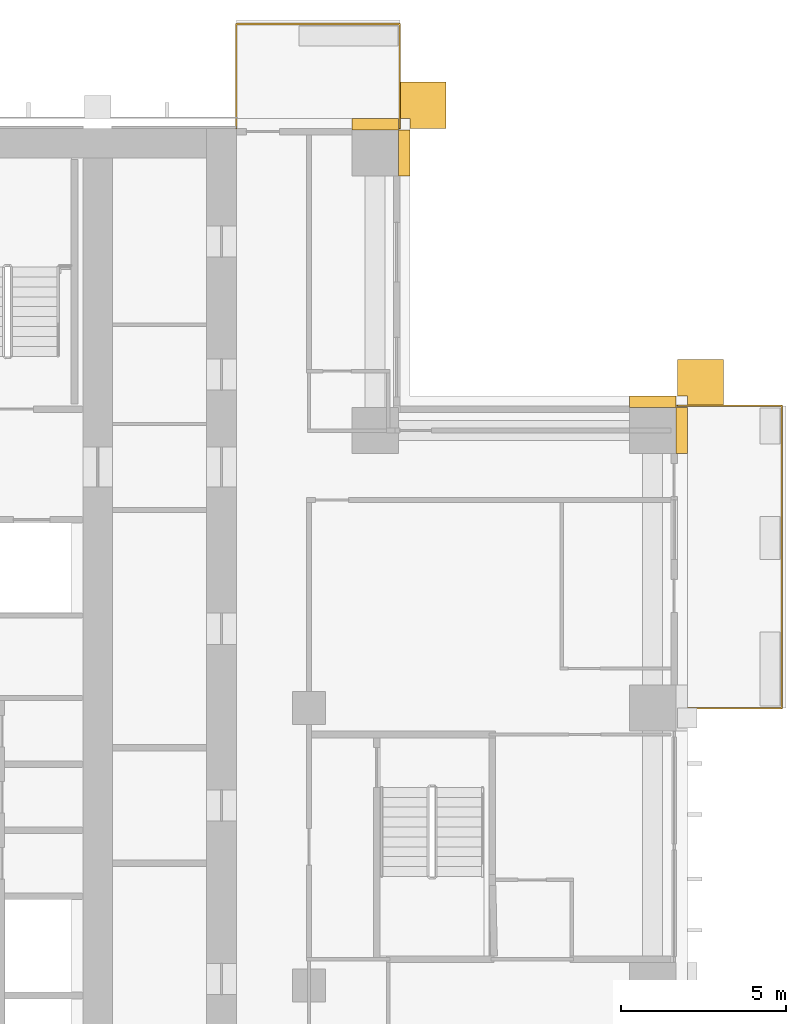
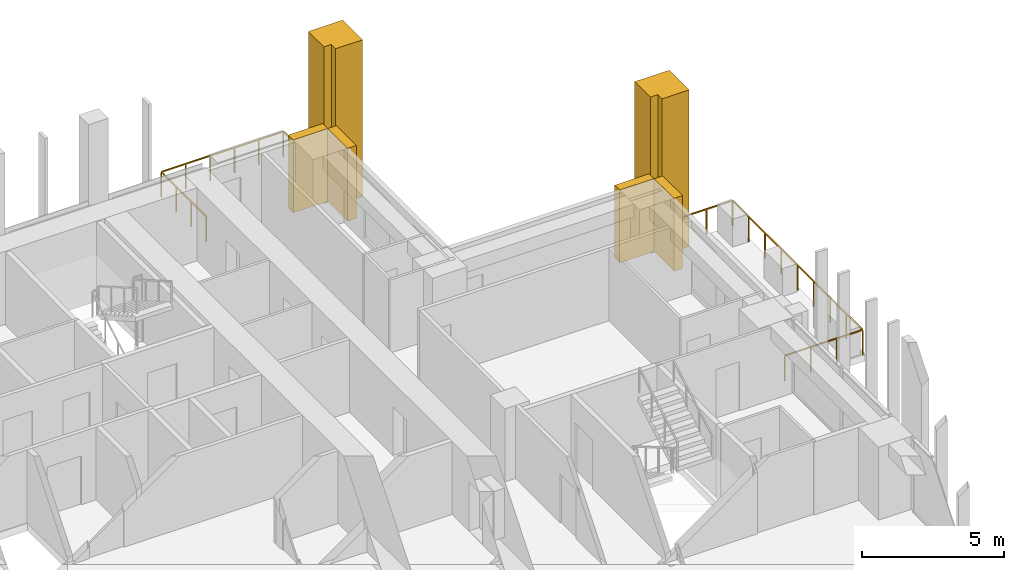
# One storey, part 17 of 17: 6 coverings, 2 railings.
"""IFC4 building model written with IfcOpenShell, lengths in metres."""

from ifc_helpers import new_model, si_unit, direction, frame, origin, origin_2d, place, context, subcontext, project, spatial, polyline, rectangle, outline, extrude, material, type_object, element, save


model = new_model("IFC4")

# Units and contexts
model_context = context("Model", 3, precision=1e-05, world=origin(), true_north=direction((0.0, 1.0)))
body_context = subcontext(model_context, "Body", "Model", "MODEL_VIEW")
ifc_project = project(units=[si_unit("LENGTHUNIT", "METRE"), si_unit("AREAUNIT", "SQUARE_METRE"), si_unit("VOLUMEUNIT", "CUBIC_METRE"), si_unit("PLANEANGLEUNIT", "RADIAN"), si_unit("MASSUNIT", "GRAM", prefix="KILO")], contexts=[model_context])

# Site, building, storey
site_placement = place(None, origin())
site = spatial("IfcSite", under=ifc_project, at=site_placement, CompositionType="ELEMENT")
building_placement = place(site_placement, origin())
building = spatial("IfcBuilding", under=site, at=building_placement, Name="Vermilion Ogive Tower", CompositionType="ELEMENT")
storey_placement = place(building_placement, frame((0.0, 0.0, 69.0)))
storey = spatial("IfcBuildingStorey", under=building, at=storey_placement, Name="L16", CompositionType="ELEMENT", Elevation=69.0)

# Railings
ifc_material_1 = material(Name="Stainless steel and glass", Category="steel")
railing_type = type_object("IfcRailingType", Name="Balcony guard", PredefinedType="GUARDRAIL", material=ifc_material_1)
railing_1_placement = place(storey_placement, frame((25.949951171875, 4.199951171875, -0.0400390625)))
element("IfcRailing", 1, at=railing_1_placement, inside=storey, type_object=railing_type, Name="Guard E03", PredefinedType="GUARDRAIL", context=body_context, shape_type="SweptSolid", body=[
    extrude(rectangle(XDim=0.048095703125, YDim=0.048095703125, at=origin_2d()), frame((0.0, 0.0, 1.076171875), z_axis=(1.0, 0.0, 0.0), x_axis=(0.0, 1.0, 0.0)), (0.0, 0.0, 1.0), 3.16015625),
    extrude(rectangle(XDim=0.048095703125, YDim=0.048095703125, at=origin_2d()), frame((3.16015625, 0.0, 1.076171875), z_axis=(0.0, 1.0, 0.0), x_axis=(-1.0, 0.0, 0.0)), (0.0, 0.0, 1.0), 9.150146484375),
    extrude(rectangle(XDim=0.048095703125, YDim=0.048095703125, at=origin_2d()), frame((3.16015625, 9.150146484375, 1.076171875), z_axis=(-1.0, 0.0, 0.0), x_axis=(0.0, -1.0, 0.0)), (0.0, 0.0, 1.0), 3.16015625),
    extrude(rectangle(XDim=0.0419921875, YDim=0.0419921875, at=origin_2d()), origin(), (0.0, 0.0, 1.0), 1.052001953125),
    extrude(rectangle(XDim=0.0419921875, YDim=0.0419921875, at=origin_2d()), frame((1.053466796875, 0.0, 0.0)), (0.0, 0.0, 1.0), 1.052001953125),
    extrude(rectangle(XDim=0.0419921875, YDim=0.0419921875, at=origin_2d()), frame((2.106689453125, 0.0, 0.0)), (0.0, 0.0, 1.0), 1.052001953125),
    extrude(rectangle(XDim=0.0419921875, YDim=0.0419921875, at=origin_2d()), frame((3.16015625, 0.0, 0.0)), (0.0, 0.0, 1.0), 1.052001953125),
    extrude(rectangle(XDim=0.0419921875, YDim=0.0419921875, at=origin_2d()), frame((3.16015625, 1.143798828125, 0.0)), (0.0, 0.0, 1.0), 1.052001953125),
    extrude(rectangle(XDim=0.0419921875, YDim=0.0419921875, at=origin_2d()), frame((3.16015625, 2.28759765625, 0.0)), (0.0, 0.0, 1.0), 1.052001953125),
    extrude(rectangle(XDim=0.0419921875, YDim=0.0419921875, at=origin_2d()), frame((3.16015625, 3.431396484375, 0.0)), (0.0, 0.0, 1.0), 1.052001953125),
    extrude(rectangle(XDim=0.0419921875, YDim=0.0419921875, at=origin_2d()), frame((3.16015625, 4.5751953125, 0.0)), (0.0, 0.0, 1.0), 1.052001953125),
    extrude(rectangle(XDim=0.0419921875, YDim=0.0419921875, at=origin_2d()), frame((3.16015625, 5.71875, 0.0)), (0.0, 0.0, 1.0), 1.052001953125),
    extrude(rectangle(XDim=0.0419921875, YDim=0.0419921875, at=origin_2d()), frame((3.16015625, 6.862548828125, 0.0)), (0.0, 0.0, 1.0), 1.052001953125),
    extrude(rectangle(XDim=0.0419921875, YDim=0.0419921875, at=origin_2d()), frame((3.16015625, 8.00634765625, 0.0)), (0.0, 0.0, 1.0), 1.052001953125),
    extrude(rectangle(XDim=0.0419921875, YDim=0.0419921875, at=origin_2d()), frame((3.16015625, 9.150146484375, 0.0)), (0.0, 0.0, 1.0), 1.052001953125),
    extrude(rectangle(XDim=0.0419921875, YDim=0.0419921875, at=origin_2d()), frame((2.106689453125, 9.150146484375, 0.0)), (0.0, 0.0, 1.0), 1.052001953125),
    extrude(rectangle(XDim=0.0419921875, YDim=0.0419921875, at=origin_2d()), frame((1.053466796875, 9.150146484375, 0.0)), (0.0, 0.0, 1.0), 1.052001953125),
    extrude(rectangle(XDim=0.0419921875, YDim=0.0419921875, at=origin_2d()), frame((0.0, 9.150146484375, 0.0)), (0.0, 0.0, 1.0), 1.052001953125),
])
railing_2_placement = place(storey_placement, frame((17.550048828125, 21.75, -0.0400390625)))
element("IfcRailing", 2, at=railing_2_placement, inside=storey, type_object=railing_type, Name="Guard N101", PredefinedType="GUARDRAIL", context=body_context, shape_type="SweptSolid", body=[
    extrude(rectangle(XDim=0.048095703125, YDim=0.048095703125, at=origin_2d()), frame((0.0, 0.0, 1.076171875), z_axis=(0.0, 1.0, 0.0), x_axis=(-1.0, 0.0, 0.0)), (0.0, 0.0, 1.0), 3.159912109375),
    extrude(rectangle(XDim=0.048095703125, YDim=0.048095703125, at=origin_2d()), frame((0.0, 3.159912109375, 1.076171875), z_axis=(-1.0, 0.0, 0.0), x_axis=(0.0, -1.0, 0.0)), (0.0, 0.0, 1.0), 4.949951171875),
    extrude(rectangle(XDim=0.048095703125, YDim=0.048095703125, at=origin_2d()), frame((-4.949951171875, 3.159912109375, 1.076171875), z_axis=(0.0, -1.0, 0.0), x_axis=(1.0, 0.0, 0.0)), (0.0, 0.0, 1.0), 3.159912109375),
    extrude(rectangle(XDim=0.0419921875, YDim=0.0419921875, at=origin_2d()), origin(), (0.0, 0.0, 1.0), 1.052001953125),
    extrude(rectangle(XDim=0.0419921875, YDim=0.0419921875, at=origin_2d()), frame((0.0, 1.05322265625, 0.0)), (0.0, 0.0, 1.0), 1.052001953125),
    extrude(rectangle(XDim=0.0419921875, YDim=0.0419921875, at=origin_2d()), frame((0.0, 2.106689453125, 0.0)), (0.0, 0.0, 1.0), 1.052001953125),
    extrude(rectangle(XDim=0.0419921875, YDim=0.0419921875, at=origin_2d()), frame((0.0, 3.159912109375, 0.0)), (0.0, 0.0, 1.0), 1.052001953125),
    extrude(rectangle(XDim=0.0419921875, YDim=0.0419921875, at=origin_2d()), frame((-0.989990234375, 3.159912109375, 0.0)), (0.0, 0.0, 1.0), 1.052001953125),
    extrude(rectangle(XDim=0.0419921875, YDim=0.0419921875, at=origin_2d()), frame((-1.97998046875, 3.159912109375, 0.0)), (0.0, 0.0, 1.0), 1.052001953125),
    extrude(rectangle(XDim=0.0419921875, YDim=0.0419921875, at=origin_2d()), frame((-2.969970703125, 3.159912109375, 0.0)), (0.0, 0.0, 1.0), 1.052001953125),
    extrude(rectangle(XDim=0.0419921875, YDim=0.0419921875, at=origin_2d()), frame((-3.9599609375, 3.159912109375, 0.0)), (0.0, 0.0, 1.0), 1.052001953125),
    extrude(rectangle(XDim=0.0419921875, YDim=0.0419921875, at=origin_2d()), frame((-4.949951171875, 3.159912109375, 0.0)), (0.0, 0.0, 1.0), 1.052001953125),
    extrude(rectangle(XDim=0.0419921875, YDim=0.0419921875, at=origin_2d()), frame((-4.949951171875, 2.106689453125, 0.0)), (0.0, 0.0, 1.0), 1.052001953125),
    extrude(rectangle(XDim=0.0419921875, YDim=0.0419921875, at=origin_2d()), frame((-4.949951171875, 1.05322265625, 0.0)), (0.0, 0.0, 1.0), 1.052001953125),
    extrude(rectangle(XDim=0.0419921875, YDim=0.0419921875, at=origin_2d()), frame((-4.949951171875, 0.0, 0.0)), (0.0, 0.0, 1.0), 1.052001953125),
])

# Coverings
ifc_material_2 = material(Name="Stone cladding", Category="masonry")
covering_type_1 = type_object("IfcCoveringType", Name="Stone corner buttress", PredefinedType="CLADDING", material=ifc_material_2)
covering_1_placement = place(storey_placement, frame((0.0, 0.0, -0.320068359375)))
element("IfcCovering", 3, at=covering_1_placement, inside=storey, type_object=covering_type_1, Name="Stone corner buttress X31", PredefinedType="CLADDING", context=body_context, shape_type="SweptSolid", body=[
    extrude(outline(polyline([(27.35009765625, 13.35009765625), (26.25, 13.35009765625), (26.25, 13.64990234375), (25.949951171875, 13.64990234375), (25.949951171875, 14.75), (27.35009765625, 14.75), (27.35009765625, 13.35009765625)])), origin(), (0.0, 0.0, 1.0), 6.719970703125),
])
covering_2_placement = place(storey_placement, frame((0.0, 0.0, -0.320068359375)))
element("IfcCovering", 4, at=covering_2_placement, inside=storey, type_object=covering_type_1, Name="Stone corner buttress N11", PredefinedType="CLADDING", context=body_context, shape_type="SweptSolid", body=[
    extrude(outline(polyline([(17.85009765625, 22.050048828125), (17.550048828125, 22.050048828125), (17.550048828125, 23.14990234375), (18.949951171875, 23.14990234375), (18.949951171875, 21.75), (17.85009765625, 21.75), (17.85009765625, 22.050048828125)])), origin(), (0.0, 0.0, 1.0), 6.719970703125),
])
ifc_material_3 = material(Name="Stone cladding", Category="masonry")
covering_type_2 = type_object("IfcCoveringType", Name="Stone pier", PredefinedType="CLADDING", material=ifc_material_3)
covering_3_placement = place(storey_placement, origin())
element("IfcCovering", 5, at=covering_3_placement, inside=storey, type_object=covering_type_2, Name="Stone pier P+0168+210X4", PredefinedType="CLADDING", context=body_context, shape_type="SweptSolid", body=[
    extrude(outline(polyline([(17.85009765625, 21.699951171875), (17.85009765625, 20.300048828125), (17.5, 20.300048828125), (17.5, 21.699951171875), (17.85009765625, 21.699951171875)])), origin(), (0.0, 0.0, 1.0), 3.1298828125),
])
covering_4_placement = place(storey_placement, origin())
element("IfcCovering", 6, at=covering_4_placement, inside=storey, type_object=covering_type_2, Name="Stone pier P+0168+210N1", PredefinedType="CLADDING", context=body_context, shape_type="SweptSolid", body=[
    extrude(outline(polyline([(17.5, 22.050048828125), (17.5, 21.699951171875), (16.10009765625, 21.699951171875), (16.10009765625, 22.050048828125), (17.5, 22.050048828125)])), origin(), (0.0, 0.0, 1.0), 3.1298828125),
])
covering_5_placement = place(storey_placement, origin())
element("IfcCovering", 7, at=covering_5_placement, inside=storey, type_object=covering_type_2, Name="Stone pier P+0252+126E", PredefinedType="CLADDING", context=body_context, shape_type="SweptSolid", body=[
    extrude(outline(polyline([(26.25, 13.300048828125), (26.25, 11.89990234375), (25.89990234375, 11.89990234375), (25.89990234375, 13.300048828125), (26.25, 13.300048828125)])), origin(), (0.0, 0.0, 1.0), 3.1298828125),
])
covering_6_placement = place(storey_placement, origin())
element("IfcCovering", 8, at=covering_6_placement, inside=storey, type_object=covering_type_2, Name="Stone pier P+0252+126X3", PredefinedType="CLADDING", context=body_context, shape_type="SweptSolid", body=[
    extrude(outline(polyline([(25.89990234375, 13.64990234375), (25.89990234375, 13.300048828125), (24.5, 13.300048828125), (24.5, 13.64990234375), (25.89990234375, 13.64990234375)])), origin(), (0.0, 0.0, 1.0), 3.1298828125),
])

save(model, "model.ifc")
